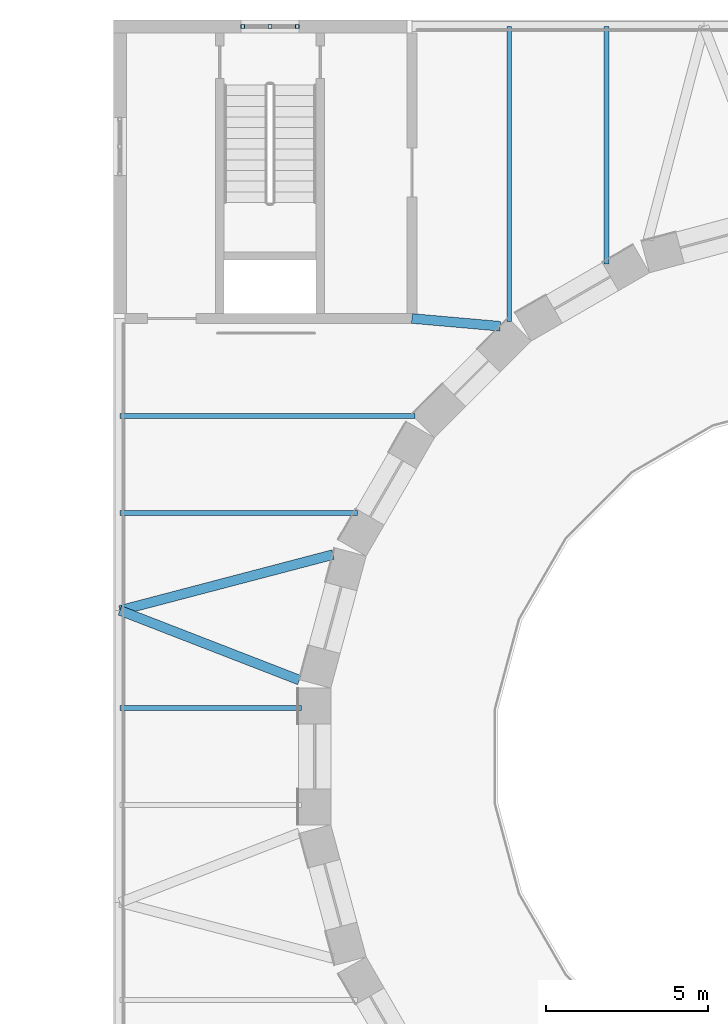
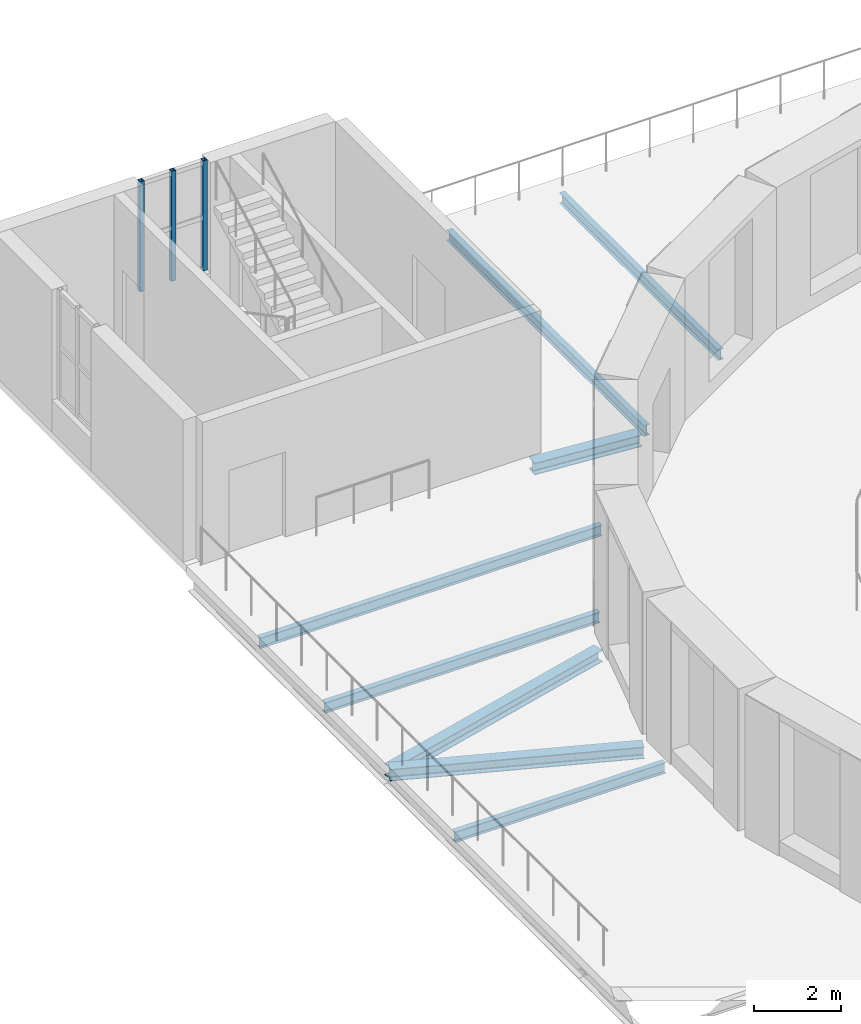
# One storey, part 52 of 154: 8 beams, 3 members, 1 element without a shape of its own.
"""IFC4 building model written with IfcOpenShell, lengths in metres."""

from ifc_helpers import new_model, si_unit, direction, frame, origin, origin_2d, place, context, subcontext, project, spatial, hollow_rectangle, i_section, extrude, material, material_profile, profile_set, type_object, element, aggregate, save


model = new_model("IFC4")

# Units and contexts
model_context = context("Model", 3, precision=1e-05, world=origin(), true_north=direction((0.0, 1.0)))
body_context = subcontext(model_context, "Body", "Model", "MODEL_VIEW")
ifc_project = project(units=[si_unit("LENGTHUNIT", "METRE"), si_unit("AREAUNIT", "SQUARE_METRE"), si_unit("VOLUMEUNIT", "CUBIC_METRE"), si_unit("PLANEANGLEUNIT", "RADIAN"), si_unit("MASSUNIT", "GRAM", prefix="KILO")], contexts=[model_context])

# Site, building, storey
site_placement = place(None, origin())
site = spatial("IfcSite", under=ifc_project, at=site_placement, CompositionType="ELEMENT")
building_placement = place(site_placement, origin())
building = spatial("IfcBuilding", under=site, at=building_placement, Name="Golden Quay Civic Hall", CompositionType="ELEMENT")
storey_placement = place(building_placement, frame((0.0, 0.0, 14.39990234375)))
storey = spatial("IfcBuildingStorey", under=building, at=storey_placement, Name="L03", CompositionType="ELEMENT", Elevation=14.39990234375)

# Curtain wall, members
ifc_material_1 = material(Name="Fire-resisting glass and steel", Category="steel")
curtain_wall_type = type_object("IfcCurtainWallType", Name="Fire-resisting glazed stair curtain wall EI 120", PredefinedType="NOTDEFINED", material=ifc_material_1)
curtain_wall_placement = place(storey_placement, origin())
curtain_wall = element("IfcCurtainWall", 1, at=curtain_wall_placement, inside=storey, type_object=curtain_wall_type, Name="CW4 stair curtain wall", PredefinedType="NOTDEFINED")
ifc_material_2 = material(Name="Steel S355", Category="steel")
ifc_material_profile_1 = material_profile(ifc_material_2, hollow_rectangle(XDim=0.1201171875, YDim=0.1201171875, WallThickness=0.012451171875, at=origin_2d()), Name="SHS 120x120x12.5")
ifc_profile_set_1 = profile_set([ifc_material_profile_1], Name="Steel S355")
member_type = type_object("IfcMemberType", Name="Fire-resisting steel stair mullion 120 x 120", PredefinedType="MULLION", material=ifc_profile_set_1)
member_1_placement = place(storey_placement, frame((66.784912109375, 108.0, 0.900146484375), z_axis=(0.0, 0.0, 1.0), x_axis=(0.0, 1.0, 0.0)))
member_1 = element("IfcMember", 2, at=member_1_placement, type_object=member_type, Name="CW4 mullion 1", PredefinedType="MULLION", context=body_context, shape_type="SweptSolid", body=[
    extrude(hollow_rectangle(XDim=0.1201171875, YDim=0.1201171875, WallThickness=0.012451171875, at=origin_2d()), origin(), (0.0, 0.0, 1.0), 3.099853515625),
])
member_2_placement = place(storey_placement, frame((67.625, 108.0, 0.900146484375), z_axis=(0.0, 0.0, 1.0), x_axis=(0.0, 1.0, 0.0)))
member_2 = element("IfcMember", 3, at=member_2_placement, type_object=member_type, Name="CW4 mullion 2", PredefinedType="MULLION", context=body_context, shape_type="SweptSolid", body=[
    extrude(hollow_rectangle(XDim=0.1201171875, YDim=0.1201171875, WallThickness=0.012451171875, at=origin_2d()), origin(), (0.0, 0.0, 1.0), 3.099853515625),
])
member_3_placement = place(storey_placement, frame((68.465087890625, 108.0, 0.900146484375), z_axis=(0.0, 0.0, 1.0), x_axis=(0.0, 1.0, 0.0)))
member_3 = element("IfcMember", 4, at=member_3_placement, type_object=member_type, Name="CW4 mullion 3", PredefinedType="MULLION", context=body_context, shape_type="SweptSolid", body=[
    extrude(hollow_rectangle(XDim=0.1201171875, YDim=0.1201171875, WallThickness=0.012451171875, at=origin_2d()), origin(), (0.0, 0.0, 1.0), 3.099853515625),
])
aggregate(curtain_wall, [member_1, member_2, member_3])

# Beams
ifc_material_3 = material(Name="Steel S355", Category="steel")
ifc_material_profile_2 = material_profile(ifc_material_3, i_section(OverallWidth=0.300048828125, OverallDepth=0.330078125, WebThickness=0.009521484375, FlangeThickness=0.0166015625, FilletRadius=0.027099609375, at=origin_2d()), Name="HEA 340")
ifc_profile_set_2 = profile_set([ifc_material_profile_2], Name="Steel S355")
beam_type_1 = type_object("IfcBeamType", Name="Steel girder HEA 340", PredefinedType="BEAM", material=ifc_profile_set_2)
beam_1_placement = place(storey_placement, frame((63.0, 90.0, -0.414794921875), z_axis=(0.932300148585, -0.361685544291, 0.0), x_axis=(0.361685544291, 0.932300148585, 0.0)))
element("IfcBeam", 5, at=beam_1_placement, inside=storey, type_object=beam_type_1, Name="Radial girder 11", PredefinedType="BEAM", context=body_context, shape_type="SweptSolid", body=[
    extrude(i_section(OverallWidth=0.300048828125, OverallDepth=0.330078125, WebThickness=0.009521484375, FlangeThickness=0.0166015625, FilletRadius=0.027099609375, at=origin_2d()), origin(), (0.0, 0.0, 1.0), 5.9326171875),
])
beam_2_placement = place(storey_placement, frame((63.0, 90.0, -0.414794921875), z_axis=(0.967279624391, 0.253712688365, 0.0), x_axis=(-0.253712688365, 0.967279624391, 0.0)))
element("IfcBeam", 6, at=beam_2_placement, inside=storey, type_object=beam_type_1, Name="Radial girder 12", PredefinedType="BEAM", context=body_context, shape_type="SweptSolid", body=[
    extrude(i_section(OverallWidth=0.300048828125, OverallDepth=0.330078125, WebThickness=0.009521484375, FlangeThickness=0.0166015625, FilletRadius=0.027099609375, at=origin_2d()), origin(), (0.0, 0.0, 1.0), 6.789794921875),
])
beam_3_placement = place(storey_placement, frame((72.0, 99.0, -0.414794921875), z_axis=(0.996142967671, -0.087745016727, 0.0), x_axis=(0.087745016727, 0.996142967671, 0.0)))
element("IfcBeam", 7, at=beam_3_placement, inside=storey, type_object=beam_type_1, Name="Radial girder 19", PredefinedType="BEAM", context=body_context, shape_type="SweptSolid", body=[
    extrude(i_section(OverallWidth=0.300048828125, OverallDepth=0.330078125, WebThickness=0.009521484375, FlangeThickness=0.0166015625, FilletRadius=0.027099609375, at=origin_2d()), origin(), (0.0, 0.0, 1.0), 2.7294921875),
])
ifc_material_4 = material(Name="Steel S355", Category="steel")
ifc_material_profile_3 = material_profile(ifc_material_4, i_section(OverallWidth=0.14990234375, OverallDepth=0.300048828125, WebThickness=0.007080078125, FlangeThickness=0.0107421875, FilletRadius=0.014892578125, at=origin_2d()), Name="IPE 300")
ifc_profile_set_3 = profile_set([ifc_material_profile_3], Name="Steel S355")
beam_type_2 = type_object("IfcBeamType", Name="Steel joist IPE 300", PredefinedType="JOIST", material=ifc_profile_set_3)
beam_4_placement = place(storey_placement, frame((75.0, 108.0, -0.39990234375), z_axis=(0.0, -1.0, 0.0), x_axis=(1.0, 0.0, 0.0)))
element("IfcBeam", 8, at=beam_4_placement, inside=storey, type_object=beam_type_2, Name="Floor joist 7", PredefinedType="JOIST", context=body_context, shape_type="SweptSolid", body=[
    extrude(i_section(OverallWidth=0.14990234375, OverallDepth=0.300048828125, WebThickness=0.007080078125, FlangeThickness=0.0107421875, FilletRadius=0.014892578125, at=origin_2d()), origin(), (0.0, 0.0, 1.0), 9.099853515625),
])
beam_5_placement = place(storey_placement, frame((78.0, 108.0, -0.39990234375), z_axis=(0.0, -1.0, 0.0), x_axis=(1.0, 0.0, 0.0)))
element("IfcBeam", 9, at=beam_5_placement, inside=storey, type_object=beam_type_2, Name="Floor joist 8", PredefinedType="JOIST", context=body_context, shape_type="SweptSolid", body=[
    extrude(i_section(OverallWidth=0.14990234375, OverallDepth=0.300048828125, WebThickness=0.007080078125, FlangeThickness=0.0107421875, FilletRadius=0.014892578125, at=origin_2d()), origin(), (0.0, 0.0, 1.0), 7.315673828125),
])
beam_6_placement = place(storey_placement, frame((63.0, 87.0, -0.39990234375), z_axis=(1.0, 0.0, 0.0), x_axis=(0.0, 1.0, 0.0)))
element("IfcBeam", 10, at=beam_6_placement, inside=storey, type_object=beam_type_2, Name="Floor joist 16", PredefinedType="JOIST", context=body_context, shape_type="SweptSolid", body=[
    extrude(i_section(OverallWidth=0.14990234375, OverallDepth=0.300048828125, WebThickness=0.007080078125, FlangeThickness=0.0107421875, FilletRadius=0.014892578125, at=origin_2d()), origin(), (0.0, 0.0, 1.0), 5.60009765625),
])
beam_7_placement = place(storey_placement, frame((63.0, 93.0, -0.39990234375), z_axis=(1.0, 0.0, 0.0), x_axis=(0.0, 1.0, 0.0)))
element("IfcBeam", 11, at=beam_7_placement, inside=storey, type_object=beam_type_2, Name="Floor joist 17", PredefinedType="JOIST", context=body_context, shape_type="SweptSolid", body=[
    extrude(i_section(OverallWidth=0.14990234375, OverallDepth=0.300048828125, WebThickness=0.007080078125, FlangeThickness=0.0107421875, FilletRadius=0.014892578125, at=origin_2d()), origin(), (0.0, 0.0, 1.0), 7.315673828125),
])
beam_8_placement = place(storey_placement, frame((63.0, 96.0, -0.39990234375), z_axis=(1.0, 0.0, 0.0), x_axis=(0.0, 1.0, 0.0)))
element("IfcBeam", 12, at=beam_8_placement, inside=storey, type_object=beam_type_2, Name="Floor joist 18", PredefinedType="JOIST", context=body_context, shape_type="SweptSolid", body=[
    extrude(i_section(OverallWidth=0.14990234375, OverallDepth=0.300048828125, WebThickness=0.007080078125, FlangeThickness=0.0107421875, FilletRadius=0.014892578125, at=origin_2d()), origin(), (0.0, 0.0, 1.0), 9.099853515625),
])

save(model, "model.ifc")
